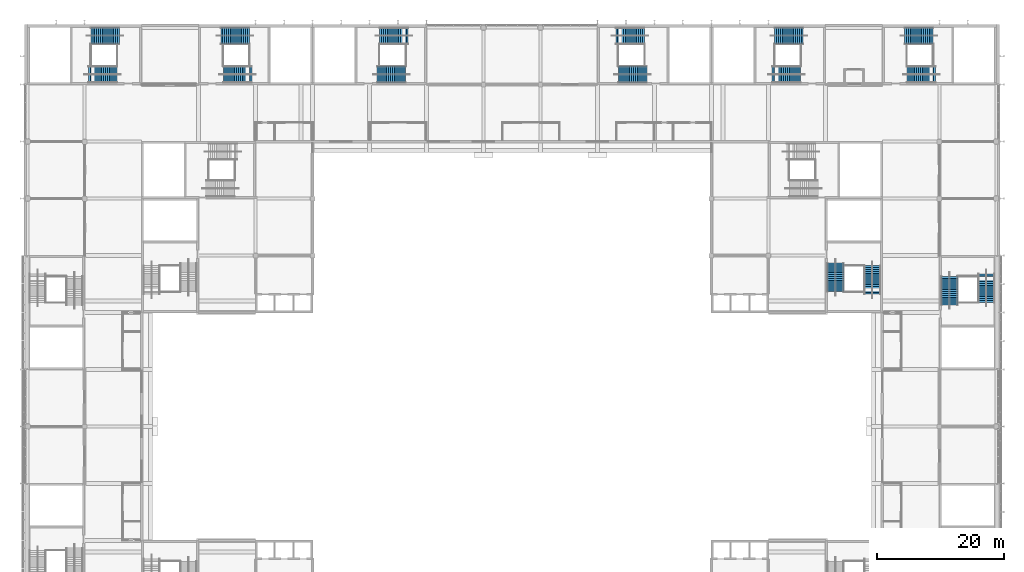
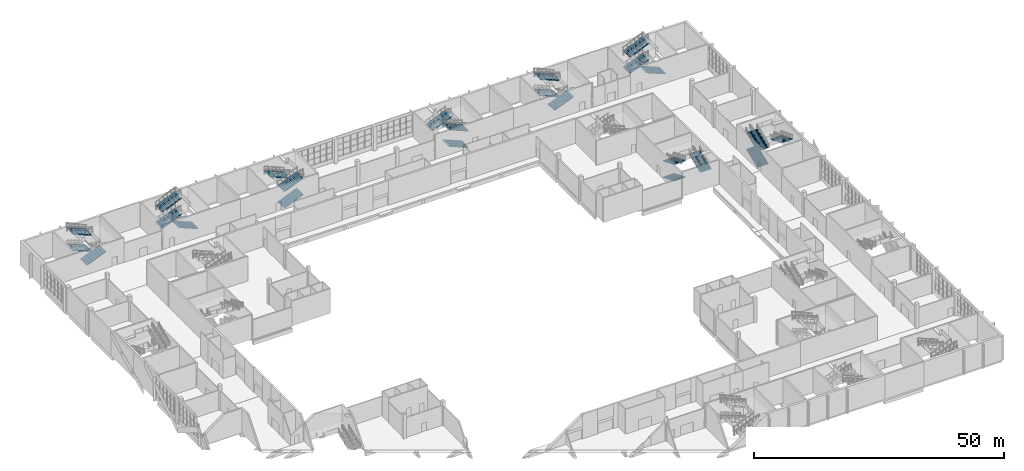
# One storey, part 52 of 89: 24 stair flights, 8 elements without a shape of their own.
"""IFC4 building model written with IfcOpenShell, lengths in metres."""

import ifcopenshell
import ifcopenshell.guid

model = None  # the IFC model being written
_history = None  # IfcOwnerHistory: only IFC2X3 demands one
_inside = {}  # id of a spatial element -> (the spatial element, [elements in it])
_under = {}  # id of a project, library or spatial element -> (it, [spatial elements below it])
_declared = {}  # id of a project -> (the project, [libraries it declares])
_typed = {}  # id of a type object -> (the type object, [elements of that type])
_made_of = {}  # id of a material, layer set ... -> (it, [elements and type objects made of it])


def new_model(schema):
    """Start an empty IFC model of exactly this schema.

    Asked for "IFC4X3", IfcOpenShell would pick the latest addendum, in which some entities
    have other attributes; the version numbers below select the first issue.
    IFC2X3 requires an IfcOwnerHistory on every rooted entity: one is made here for all.
    """
    global model, _history
    if schema == "IFC4X3":
        model = ifcopenshell.file(schema_version=(4, 3, 0, 0))
    else:
        model = ifcopenshell.file(schema=schema)
    _inside.clear()
    _under.clear()
    _declared.clear()
    _typed.clear()
    _made_of.clear()
    _history = None
    if model.schema == "IFC2X3":
        org = make("IfcOrganization", Name="unknown")
        user = make(
            "IfcPersonAndOrganization",
            ThePerson=make("IfcPerson", FamilyName="unknown"),
            TheOrganization=org,
        )
        app = make(
            "IfcApplication",
            ApplicationDeveloper=org,
            Version="unknown",
            ApplicationFullName="unknown",
            ApplicationIdentifier="unknown",
        )
        _history = make(
            "IfcOwnerHistory",
            OwningUser=user,
            OwningApplication=app,
            ChangeAction="ADDED",
            CreationDate=0,
        )
    return model


def make(cls, **values):
    """One entity of the class cls with the attributes given. An attribute that is None is left unset."""
    return model.create_entity(
        cls, **{name: value for name, value in values.items() if value is not None}
    )


def rooted(cls, **values):
    """An entity with a GlobalId (a new one), such as an element, a storey or a relation."""
    return make(cls, GlobalId=ifcopenshell.guid.new(), OwnerHistory=_history, **values)


def si_unit(unit_type, name, prefix=None):
    """IfcSIUnit, for example si_unit("LENGTHUNIT", "METRE", prefix="MILLI")."""
    return make("IfcSIUnit", UnitType=unit_type, Prefix=prefix, Name=name)


def assignment(units):
    """IfcUnitAssignment: the units of a project."""
    return None if units is None else make("IfcUnitAssignment", Units=units)


def point(xyz):
    """IfcCartesianPoint."""
    return None if xyz is None else make("IfcCartesianPoint", Coordinates=xyz)


def direction(xyz):
    """IfcDirection."""
    return None if xyz is None else make("IfcDirection", DirectionRatios=xyz)


def frame(location, z_axis=None, x_axis=None):
    """IfcAxis2Placement3D, a coordinate frame: its origin and axes. An axis left out is left unset."""
    return make(
        "IfcAxis2Placement3D",
        Location=point(location),
        Axis=direction(z_axis),
        RefDirection=direction(x_axis),
    )


def origin():
    """The frame at (0, 0, 0) with its axes left unset."""
    return frame((0.0, 0.0, 0.0))


def place(relative_to, where):
    """IfcLocalPlacement: puts the frame where relative to a parent placement (None: the world)."""
    return make(
        "IfcLocalPlacement", PlacementRelTo=relative_to, RelativePlacement=where
    )


def context(
    kind, dimensions, precision=None, world=None, true_north=None, identifier=None
):
    """IfcGeometricRepresentationContext, for example the 3D "Model" context."""
    return make(
        "IfcGeometricRepresentationContext",
        ContextIdentifier=identifier,
        ContextType=kind,
        CoordinateSpaceDimension=dimensions,
        Precision=precision,
        WorldCoordinateSystem=world,
        TrueNorth=true_north,
    )


def subcontext(parent, identifier, kind, view, scale=None):
    """IfcGeometricRepresentationSubContext, for example "Body" below "Model"."""
    return make(
        "IfcGeometricRepresentationSubContext",
        ContextIdentifier=identifier,
        ContextType=kind,
        ParentContext=parent,
        TargetScale=scale,
        TargetView=view,
    )


def project(units=None, contexts=None):
    """IfcProject with its units and contexts."""
    return rooted(
        "IfcProject",
        Name="project",
        RepresentationContexts=contexts,
        UnitsInContext=assignment(units),
    )


def spatial(cls, under=None, at=None, **own):
    """A site, building, storey or space (cls), placed at a placement, below another one or the project."""
    s = rooted(cls, ObjectPlacement=at, **own)
    if under is not None:
        _under.setdefault(under.id(), (under, []))[1].append(s)
    return s


def polyline(points):
    """IfcPolyline through the points."""
    return make("IfcPolyline", Points=[point(p) for p in points])


def outline(outer, holes=None, kind="AREA"):
    """IfcArbitraryClosedProfileDef: a profile drawn as a closed curve; with holes, ...WithVoids."""
    if holes is None:
        return make("IfcArbitraryClosedProfileDef", ProfileType=kind, OuterCurve=outer)
    return make(
        "IfcArbitraryProfileDefWithVoids",
        ProfileType=kind,
        OuterCurve=outer,
        InnerCurves=holes,
    )


def extrude(swept, where, along, depth):
    """IfcExtrudedAreaSolid: the profile swept, set in the frame where, extruded along a direction by depth."""
    return make(
        "IfcExtrudedAreaSolid",
        SweptArea=swept,
        Position=where,
        ExtrudedDirection=direction(along),
        Depth=depth,
    )


def shape(context_of_items, identifier, shape_type, items):
    """IfcShapeRepresentation: the items that make up one representation, for example the "Body"."""
    return make(
        "IfcShapeRepresentation",
        ContextOfItems=context_of_items,
        RepresentationIdentifier=identifier,
        RepresentationType=shape_type,
        Items=items,
    )


def material(Name=None, Category=None):
    """IfcMaterial."""
    return make("IfcMaterial", Name=Name, Category=Category)


def made_of(thing, what):
    """Note that an element or type object is made of a material, layer set ...; save() writes the relation."""
    if what is not None:
        _made_of.setdefault(what.id(), (what, []))[1].append(thing)
    return thing


def type_object(cls, material=None, **own):
    """A type object (cls), such as IfcWallType, which elements share."""
    return made_of(rooted(cls, **own), material)


def element(
    cls,
    number,
    at=None,
    inside=None,
    cuts=None,
    type_object=None,
    material=None,
    context=None,
    identifier="Body",
    shape_type=None,
    held_by="IfcProductDefinitionShape",
    body=None,
    shapes=None,
    **own,
):
    """One element of the class cls, such as IfcWall. Its Tag is "e" and its number.

    at: its placement. inside: the storey or other place that contains it. cuts: it is an
    opening in that element (IfcRelVoidsElement). A single representation is given by context,
    identifier, shape_type and body (its items); several are given by shapes. held_by: the class
    of the entity that holds the representations. save() writes the other relations.
    """
    e = rooted(cls, Tag="e%d" % number, ObjectPlacement=at, **own)
    if body is not None:
        shapes = [shape(context, identifier, shape_type, body)]
    if shapes is not None:
        e.Representation = make(held_by, Representations=shapes)
    if inside is not None:
        _inside.setdefault(inside.id(), (inside, []))[1].append(e)
    if cuts is not None:
        rooted(
            "IfcRelVoidsElement", RelatingBuildingElement=cuts, RelatedOpeningElement=e
        )
    if type_object is not None:
        _typed.setdefault(type_object.id(), (type_object, []))[1].append(e)
    return made_of(e, material)


def aggregate(whole, parts):
    """IfcRelAggregates: a whole, such as a stair, and the parts it consists of."""
    return rooted("IfcRelAggregates", RelatingObject=whole, RelatedObjects=parts)


def save(model, path):
    """Write the relations noted so far, then the file.

    IfcRelAggregates (storeys below a building ...), IfcRelContainedInSpatialStructure (elements
    in a storey), IfcRelDefinesByType, IfcRelAssociatesMaterial and IfcRelDeclares: one each for
    every whole, place, type object, material and project.
    """
    for whole, parts in _under.values():
        aggregate(whole, parts)
    for where, things in _inside.values():
        rooted(
            "IfcRelContainedInSpatialStructure",
            RelatedElements=things,
            RelatingStructure=where,
        )
    for kind, things in _typed.values():
        rooted("IfcRelDefinesByType", RelatedObjects=things, RelatingType=kind)
    for what, things in _made_of.values():
        rooted("IfcRelAssociatesMaterial", RelatedObjects=things, RelatingMaterial=what)
    for by, libraries in _declared.values():
        rooted("IfcRelDeclares", RelatingContext=by, RelatedDefinitions=libraries)
    model.write(path)


model = new_model("IFC4")

# Units and contexts
model_context = context("Model", 3, precision=1e-05, world=origin(), true_north=direction((0.0, 1.0)))
body_context = subcontext(model_context, "Body", "Model", "MODEL_VIEW")
ifc_project = project(units=[si_unit("LENGTHUNIT", "METRE"), si_unit("AREAUNIT", "SQUARE_METRE"), si_unit("VOLUMEUNIT", "CUBIC_METRE"), si_unit("PLANEANGLEUNIT", "RADIAN"), si_unit("MASSUNIT", "GRAM", prefix="KILO")], contexts=[model_context])

# Site, building, storey
site_placement = place(None, origin())
site = spatial("IfcSite", under=ifc_project, at=site_placement, CompositionType="ELEMENT")
building_placement = place(site_placement, origin())
building = spatial("IfcBuilding", under=site, at=building_placement, Name="Silverbay Arena", CompositionType="ELEMENT")
storey_placement = place(building_placement, frame((0.0, 0.0, 22.0)))
storey = spatial("IfcBuildingStorey", under=building, at=storey_placement, Name="L03", CompositionType="ELEMENT", Elevation=22.0)

# Stair, stair flights
ifc_material_1 = material(Name="Concrete Grade C45", Category="concrete")
stair_type = type_object("IfcStairType", Name="Stair 2600 wide 48 risers 125.0 x 300", PredefinedType="HALF_TURN_STAIR", material=ifc_material_1)
stair_1_placement = place(storey_placement, origin())
stair_1 = element("IfcStair", 1, at=stair_1_placement, inside=storey, type_object=stair_type, Name="Stair ST-N1 L03 to L04", PredefinedType="HALF_TURN_STAIR")
ifc_material_2 = material(Name="Concrete Grade C45", Category="concrete")
stair_flight_type = type_object("IfcStairFlightType", Name="Stair flight 2600 wide 16 risers 125.0 x 300", PredefinedType="STRAIGHT", material=ifc_material_2)
stair_flight_1_placement = place(storey_placement, frame((84.510009765625, 142.699951171875, 0.0), z_axis=(0.0, 0.0, 1.0), x_axis=(1.0, 0.0, 0.0)))
stair_flight_1 = element("IfcStairFlight", 2, at=stair_flight_1_placement, type_object=stair_flight_type, Name="Stair ST-N1 L03 to L04 flight 1", NumberOfRisers=16, NumberOfTreads=15, PredefinedType="STRAIGHT", RiserHeight=0.125, TreadLength=0.3, context=body_context, shape_type="SweptSolid", body=[
    extrude(outline(polyline([(0.0, 0.0), (0.0, 0.125), (0.300048828125, 0.125), (0.300048828125, 0.25), (0.60009765625, 0.25), (0.60009765625, 0.375), (0.89990234375, 0.375), (0.89990234375, 0.5), (1.199951171875, 0.5), (1.199951171875, 0.625), (1.5, 0.625), (1.5, 0.75), (1.800048828125, 0.75), (1.800048828125, 0.875), (2.10009765625, 0.875), (2.10009765625, 1.0), (2.39990234375, 1.0), (2.39990234375, 1.125), (2.699951171875, 1.125), (2.699951171875, 1.25), (3.0, 1.25), (3.0, 1.375), (3.300048828125, 1.375), (3.300048828125, 1.5), (3.60009765625, 1.5), (3.60009765625, 1.625), (3.89990234375, 1.625), (3.89990234375, 1.75), (4.199951171875, 1.75), (4.199951171875, 1.875), (4.5, 1.875), (4.5, 1.712646484375), (0.3896484375, 0.0), (0.0, 0.0)])), frame((0.0, 1.300048828125, 0.0), z_axis=(0.0, -1.0, 0.0), x_axis=(1.0, 0.0, 0.0)), (0.0, 0.0, 1.0), 2.60009765625),
])
stair_flight_2_placement = place(storey_placement, frame((89.39990234375, 136.60009765625, 2.0), z_axis=(0.0, 0.0, 1.0), x_axis=(-1.0, 0.0, 0.0)))
stair_flight_2 = element("IfcStairFlight", 3, at=stair_flight_2_placement, type_object=stair_flight_type, Name="Stair ST-N1 L03 to L04 flight 2", NumberOfRisers=16, NumberOfTreads=15, PredefinedType="STRAIGHT", RiserHeight=0.125, TreadLength=0.3, context=body_context, shape_type="SweptSolid", body=[
    extrude(outline(polyline([(0.0, 0.0), (0.0, 0.125), (0.300048828125, 0.125), (0.300048828125, 0.25), (0.60009765625, 0.25), (0.60009765625, 0.375), (0.89990234375, 0.375), (0.89990234375, 0.5), (1.199951171875, 0.5), (1.199951171875, 0.625), (1.5, 0.625), (1.5, 0.75), (1.800048828125, 0.75), (1.800048828125, 0.875), (2.10009765625, 0.875), (2.10009765625, 1.0), (2.39990234375, 1.0), (2.39990234375, 1.125), (2.699951171875, 1.125), (2.699951171875, 1.25), (3.0, 1.25), (3.0, 1.375), (3.300048828125, 1.375), (3.300048828125, 1.5), (3.60009765625, 1.5), (3.60009765625, 1.625), (3.89990234375, 1.625), (3.89990234375, 1.75), (4.199951171875, 1.75), (4.199951171875, 1.875), (4.5, 1.875), (4.5, 1.712646484375), (0.3896484375, 0.0), (0.0, 0.0)])), frame((0.0, 1.300048828125, 0.0), z_axis=(0.0, -1.0, 0.0), x_axis=(1.0, 0.0, 0.0)), (0.0, 0.0, 1.0), 2.60009765625),
])
stair_flight_3_placement = place(storey_placement, frame((84.510009765625, 142.699951171875, 4.0), z_axis=(0.0, 0.0, 1.0), x_axis=(1.0, 0.0, 0.0)))
stair_flight_3 = element("IfcStairFlight", 4, at=stair_flight_3_placement, type_object=stair_flight_type, Name="Stair ST-N1 L03 to L04 flight 3", NumberOfRisers=16, NumberOfTreads=15, PredefinedType="STRAIGHT", RiserHeight=0.125, TreadLength=0.3, context=body_context, shape_type="SweptSolid", body=[
    extrude(outline(polyline([(0.0, 0.0), (0.0, 0.125), (0.300048828125, 0.125), (0.300048828125, 0.25), (0.60009765625, 0.25), (0.60009765625, 0.375), (0.89990234375, 0.375), (0.89990234375, 0.5), (1.199951171875, 0.5), (1.199951171875, 0.625), (1.5, 0.625), (1.5, 0.75), (1.800048828125, 0.75), (1.800048828125, 0.875), (2.10009765625, 0.875), (2.10009765625, 1.0), (2.39990234375, 1.0), (2.39990234375, 1.125), (2.699951171875, 1.125), (2.699951171875, 1.25), (3.0, 1.25), (3.0, 1.375), (3.300048828125, 1.375), (3.300048828125, 1.5), (3.60009765625, 1.5), (3.60009765625, 1.625), (3.89990234375, 1.625), (3.89990234375, 1.75), (4.199951171875, 1.75), (4.199951171875, 1.875), (4.5, 1.875), (4.5, 1.712646484375), (0.3896484375, 0.0), (0.0, 0.0)])), frame((0.0, 1.300048828125, 0.0), z_axis=(0.0, -1.0, 0.0), x_axis=(1.0, 0.0, 0.0)), (0.0, 0.0, 1.0), 2.60009765625),
])
aggregate(stair_1, [stair_flight_1, stair_flight_2, stair_flight_3])

stair_2_placement = place(storey_placement, origin())
stair_2 = element("IfcStair", 5, at=stair_2_placement, inside=storey, type_object=stair_type, Name="Stair ST-N2 L03 to L04", PredefinedType="HALF_TURN_STAIR")
stair_flight_4_placement = place(storey_placement, frame((109.2099609375, 136.60009765625, 0.0), z_axis=(0.0, 0.0, 1.0), x_axis=(1.0, 0.0, 0.0)))
stair_flight_4 = element("IfcStairFlight", 6, at=stair_flight_4_placement, type_object=stair_flight_type, Name="Stair ST-N2 L03 to L04 flight 1", NumberOfRisers=16, NumberOfTreads=15, PredefinedType="STRAIGHT", RiserHeight=0.125, TreadLength=0.3, context=body_context, shape_type="SweptSolid", body=[
    extrude(outline(polyline([(0.0, 0.0), (0.0, 0.125), (0.300048828125, 0.125), (0.300048828125, 0.25), (0.60009765625, 0.25), (0.60009765625, 0.375), (0.89990234375, 0.375), (0.89990234375, 0.5), (1.199951171875, 0.5), (1.199951171875, 0.625), (1.5, 0.625), (1.5, 0.75), (1.800048828125, 0.75), (1.800048828125, 0.875), (2.10009765625, 0.875), (2.10009765625, 1.0), (2.39990234375, 1.0), (2.39990234375, 1.125), (2.699951171875, 1.125), (2.699951171875, 1.25), (3.0, 1.25), (3.0, 1.375), (3.300048828125, 1.375), (3.300048828125, 1.5), (3.60009765625, 1.5), (3.60009765625, 1.625), (3.89990234375, 1.625), (3.89990234375, 1.75), (4.199951171875, 1.75), (4.199951171875, 1.875), (4.5, 1.875), (4.5, 1.712646484375), (0.3896484375, 0.0), (0.0, 0.0)])), frame((0.0, 1.300048828125, 0.0), z_axis=(0.0, -1.0, 0.0), x_axis=(1.0, 0.0, 0.0)), (0.0, 0.0, 1.0), 2.60009765625),
])
stair_flight_5_placement = place(storey_placement, frame((114.10009765625, 142.699951171875, 2.0), z_axis=(0.0, 0.0, 1.0), x_axis=(-1.0, 0.0, 0.0)))
stair_flight_5 = element("IfcStairFlight", 7, at=stair_flight_5_placement, type_object=stair_flight_type, Name="Stair ST-N2 L03 to L04 flight 2", NumberOfRisers=16, NumberOfTreads=15, PredefinedType="STRAIGHT", RiserHeight=0.125, TreadLength=0.3, context=body_context, shape_type="SweptSolid", body=[
    extrude(outline(polyline([(0.0, 0.0), (0.0, 0.125), (0.300048828125, 0.125), (0.300048828125, 0.25), (0.60009765625, 0.25), (0.60009765625, 0.375), (0.89990234375, 0.375), (0.89990234375, 0.5), (1.199951171875, 0.5), (1.199951171875, 0.625), (1.5, 0.625), (1.5, 0.75), (1.800048828125, 0.75), (1.800048828125, 0.875), (2.10009765625, 0.875), (2.10009765625, 1.0), (2.39990234375, 1.0), (2.39990234375, 1.125), (2.699951171875, 1.125), (2.699951171875, 1.25), (3.0, 1.25), (3.0, 1.375), (3.300048828125, 1.375), (3.300048828125, 1.5), (3.60009765625, 1.5), (3.60009765625, 1.625), (3.89990234375, 1.625), (3.89990234375, 1.75), (4.199951171875, 1.75), (4.199951171875, 1.875), (4.5, 1.875), (4.5, 1.712646484375), (0.3896484375, 0.0), (0.0, 0.0)])), frame((0.0, 1.300048828125, 0.0), z_axis=(0.0, -1.0, 0.0), x_axis=(1.0, 0.0, 0.0)), (0.0, 0.0, 1.0), 2.60009765625),
])
stair_flight_6_placement = place(storey_placement, frame((109.2099609375, 136.60009765625, 4.0), z_axis=(0.0, 0.0, 1.0), x_axis=(1.0, 0.0, 0.0)))
stair_flight_6 = element("IfcStairFlight", 8, at=stair_flight_6_placement, type_object=stair_flight_type, Name="Stair ST-N2 L03 to L04 flight 3", NumberOfRisers=16, NumberOfTreads=15, PredefinedType="STRAIGHT", RiserHeight=0.125, TreadLength=0.3, context=body_context, shape_type="SweptSolid", body=[
    extrude(outline(polyline([(0.0, 0.0), (0.0, 0.125), (0.300048828125, 0.125), (0.300048828125, 0.25), (0.60009765625, 0.25), (0.60009765625, 0.375), (0.89990234375, 0.375), (0.89990234375, 0.5), (1.199951171875, 0.5), (1.199951171875, 0.625), (1.5, 0.625), (1.5, 0.75), (1.800048828125, 0.75), (1.800048828125, 0.875), (2.10009765625, 0.875), (2.10009765625, 1.0), (2.39990234375, 1.0), (2.39990234375, 1.125), (2.699951171875, 1.125), (2.699951171875, 1.25), (3.0, 1.25), (3.0, 1.375), (3.300048828125, 1.375), (3.300048828125, 1.5), (3.60009765625, 1.5), (3.60009765625, 1.625), (3.89990234375, 1.625), (3.89990234375, 1.75), (4.199951171875, 1.75), (4.199951171875, 1.875), (4.5, 1.875), (4.5, 1.712646484375), (0.3896484375, 0.0), (0.0, 0.0)])), frame((0.0, 1.300048828125, 0.0), z_axis=(0.0, -1.0, 0.0), x_axis=(1.0, 0.0, 0.0)), (0.0, 0.0, 1.0), 2.60009765625),
])
aggregate(stair_2, [stair_flight_4, stair_flight_5, stair_flight_6])

stair_3_placement = place(storey_placement, origin())
stair_3 = element("IfcStair", 9, at=stair_3_placement, inside=storey, type_object=stair_type, Name="Stair ST-N3 L03 to L04", PredefinedType="HALF_TURN_STAIR")
stair_flight_7_placement = place(storey_placement, frame((151.7900390625, 136.60009765625, 0.0), z_axis=(0.0, 0.0, 1.0), x_axis=(-1.0, 0.0, 0.0)))
stair_flight_7 = element("IfcStairFlight", 10, at=stair_flight_7_placement, type_object=stair_flight_type, Name="Stair ST-N3 L03 to L04 flight 1", NumberOfRisers=16, NumberOfTreads=15, PredefinedType="STRAIGHT", RiserHeight=0.125, TreadLength=0.3, context=body_context, shape_type="SweptSolid", body=[
    extrude(outline(polyline([(0.0, 0.0), (0.0, 0.125), (0.300048828125, 0.125), (0.300048828125, 0.25), (0.60009765625, 0.25), (0.60009765625, 0.375), (0.89990234375, 0.375), (0.89990234375, 0.5), (1.199951171875, 0.5), (1.199951171875, 0.625), (1.5, 0.625), (1.5, 0.75), (1.800048828125, 0.75), (1.800048828125, 0.875), (2.10009765625, 0.875), (2.10009765625, 1.0), (2.39990234375, 1.0), (2.39990234375, 1.125), (2.699951171875, 1.125), (2.699951171875, 1.25), (3.0, 1.25), (3.0, 1.375), (3.300048828125, 1.375), (3.300048828125, 1.5), (3.60009765625, 1.5), (3.60009765625, 1.625), (3.89990234375, 1.625), (3.89990234375, 1.75), (4.199951171875, 1.75), (4.199951171875, 1.875), (4.5, 1.875), (4.5, 1.712646484375), (0.3896484375, 0.0), (0.0, 0.0)])), frame((0.0, 1.300048828125, 0.0), z_axis=(0.0, -1.0, 0.0), x_axis=(1.0, 0.0, 0.0)), (0.0, 0.0, 1.0), 2.60009765625),
])
stair_flight_8_placement = place(storey_placement, frame((146.89990234375, 142.699951171875, 2.0), z_axis=(0.0, 0.0, 1.0), x_axis=(1.0, 0.0, 0.0)))
stair_flight_8 = element("IfcStairFlight", 11, at=stair_flight_8_placement, type_object=stair_flight_type, Name="Stair ST-N3 L03 to L04 flight 2", NumberOfRisers=16, NumberOfTreads=15, PredefinedType="STRAIGHT", RiserHeight=0.125, TreadLength=0.3, context=body_context, shape_type="SweptSolid", body=[
    extrude(outline(polyline([(0.0, 0.0), (0.0, 0.125), (0.300048828125, 0.125), (0.300048828125, 0.25), (0.60009765625, 0.25), (0.60009765625, 0.375), (0.89990234375, 0.375), (0.89990234375, 0.5), (1.199951171875, 0.5), (1.199951171875, 0.625), (1.5, 0.625), (1.5, 0.75), (1.800048828125, 0.75), (1.800048828125, 0.875), (2.10009765625, 0.875), (2.10009765625, 1.0), (2.39990234375, 1.0), (2.39990234375, 1.125), (2.699951171875, 1.125), (2.699951171875, 1.25), (3.0, 1.25), (3.0, 1.375), (3.300048828125, 1.375), (3.300048828125, 1.5), (3.60009765625, 1.5), (3.60009765625, 1.625), (3.89990234375, 1.625), (3.89990234375, 1.75), (4.199951171875, 1.75), (4.199951171875, 1.875), (4.5, 1.875), (4.5, 1.712646484375), (0.3896484375, 0.0), (0.0, 0.0)])), frame((0.0, 1.300048828125, 0.0), z_axis=(0.0, -1.0, 0.0), x_axis=(1.0, 0.0, 0.0)), (0.0, 0.0, 1.0), 2.60009765625),
])
stair_flight_9_placement = place(storey_placement, frame((151.7900390625, 136.60009765625, 4.0), z_axis=(0.0, 0.0, 1.0), x_axis=(-1.0, 0.0, 0.0)))
stair_flight_9 = element("IfcStairFlight", 12, at=stair_flight_9_placement, type_object=stair_flight_type, Name="Stair ST-N3 L03 to L04 flight 3", NumberOfRisers=16, NumberOfTreads=15, PredefinedType="STRAIGHT", RiserHeight=0.125, TreadLength=0.3, context=body_context, shape_type="SweptSolid", body=[
    extrude(outline(polyline([(0.0, 0.0), (0.0, 0.125), (0.300048828125, 0.125), (0.300048828125, 0.25), (0.60009765625, 0.25), (0.60009765625, 0.375), (0.89990234375, 0.375), (0.89990234375, 0.5), (1.199951171875, 0.5), (1.199951171875, 0.625), (1.5, 0.625), (1.5, 0.75), (1.800048828125, 0.75), (1.800048828125, 0.875), (2.10009765625, 0.875), (2.10009765625, 1.0), (2.39990234375, 1.0), (2.39990234375, 1.125), (2.699951171875, 1.125), (2.699951171875, 1.25), (3.0, 1.25), (3.0, 1.375), (3.300048828125, 1.375), (3.300048828125, 1.5), (3.60009765625, 1.5), (3.60009765625, 1.625), (3.89990234375, 1.625), (3.89990234375, 1.75), (4.199951171875, 1.75), (4.199951171875, 1.875), (4.5, 1.875), (4.5, 1.712646484375), (0.3896484375, 0.0), (0.0, 0.0)])), frame((0.0, 1.300048828125, 0.0), z_axis=(0.0, -1.0, 0.0), x_axis=(1.0, 0.0, 0.0)), (0.0, 0.0, 1.0), 2.60009765625),
])
aggregate(stair_3, [stair_flight_7, stair_flight_8, stair_flight_9])

stair_4_placement = place(storey_placement, origin())
stair_4 = element("IfcStair", 13, at=stair_4_placement, inside=storey, type_object=stair_type, Name="Stair ST-N4 L03 to L04", PredefinedType="HALF_TURN_STAIR")
stair_flight_10_placement = place(storey_placement, frame((176.489990234375, 142.699951171875, 0.0), z_axis=(0.0, 0.0, 1.0), x_axis=(-1.0, 0.0, 0.0)))
stair_flight_10 = element("IfcStairFlight", 14, at=stair_flight_10_placement, type_object=stair_flight_type, Name="Stair ST-N4 L03 to L04 flight 1", NumberOfRisers=16, NumberOfTreads=15, PredefinedType="STRAIGHT", RiserHeight=0.125, TreadLength=0.3, context=body_context, shape_type="SweptSolid", body=[
    extrude(outline(polyline([(0.0, 0.0), (0.0, 0.125), (0.300048828125, 0.125), (0.300048828125, 0.25), (0.60009765625, 0.25), (0.60009765625, 0.375), (0.89990234375, 0.375), (0.89990234375, 0.5), (1.199951171875, 0.5), (1.199951171875, 0.625), (1.5, 0.625), (1.5, 0.75), (1.800048828125, 0.75), (1.800048828125, 0.875), (2.10009765625, 0.875), (2.10009765625, 1.0), (2.39990234375, 1.0), (2.39990234375, 1.125), (2.699951171875, 1.125), (2.699951171875, 1.25), (3.0, 1.25), (3.0, 1.375), (3.300048828125, 1.375), (3.300048828125, 1.5), (3.60009765625, 1.5), (3.60009765625, 1.625), (3.89990234375, 1.625), (3.89990234375, 1.75), (4.199951171875, 1.75), (4.199951171875, 1.875), (4.5, 1.875), (4.5, 1.712646484375), (0.3896484375, 0.0), (0.0, 0.0)])), frame((0.0, 1.300048828125, 0.0), z_axis=(0.0, -1.0, 0.0), x_axis=(1.0, 0.0, 0.0)), (0.0, 0.0, 1.0), 2.60009765625),
])
stair_flight_11_placement = place(storey_placement, frame((171.60009765625, 136.60009765625, 2.0), z_axis=(0.0, 0.0, 1.0), x_axis=(1.0, 0.0, 0.0)))
stair_flight_11 = element("IfcStairFlight", 15, at=stair_flight_11_placement, type_object=stair_flight_type, Name="Stair ST-N4 L03 to L04 flight 2", NumberOfRisers=16, NumberOfTreads=15, PredefinedType="STRAIGHT", RiserHeight=0.125, TreadLength=0.3, context=body_context, shape_type="SweptSolid", body=[
    extrude(outline(polyline([(0.0, 0.0), (0.0, 0.125), (0.300048828125, 0.125), (0.300048828125, 0.25), (0.60009765625, 0.25), (0.60009765625, 0.375), (0.89990234375, 0.375), (0.89990234375, 0.5), (1.199951171875, 0.5), (1.199951171875, 0.625), (1.5, 0.625), (1.5, 0.75), (1.800048828125, 0.75), (1.800048828125, 0.875), (2.10009765625, 0.875), (2.10009765625, 1.0), (2.39990234375, 1.0), (2.39990234375, 1.125), (2.699951171875, 1.125), (2.699951171875, 1.25), (3.0, 1.25), (3.0, 1.375), (3.300048828125, 1.375), (3.300048828125, 1.5), (3.60009765625, 1.5), (3.60009765625, 1.625), (3.89990234375, 1.625), (3.89990234375, 1.75), (4.199951171875, 1.75), (4.199951171875, 1.875), (4.5, 1.875), (4.5, 1.712646484375), (0.3896484375, 0.0), (0.0, 0.0)])), frame((0.0, 1.300048828125, 0.0), z_axis=(0.0, -1.0, 0.0), x_axis=(1.0, 0.0, 0.0)), (0.0, 0.0, 1.0), 2.60009765625),
])
stair_flight_12_placement = place(storey_placement, frame((176.489990234375, 142.699951171875, 4.0), z_axis=(0.0, 0.0, 1.0), x_axis=(-1.0, 0.0, 0.0)))
stair_flight_12 = element("IfcStairFlight", 16, at=stair_flight_12_placement, type_object=stair_flight_type, Name="Stair ST-N4 L03 to L04 flight 3", NumberOfRisers=16, NumberOfTreads=15, PredefinedType="STRAIGHT", RiserHeight=0.125, TreadLength=0.3, context=body_context, shape_type="SweptSolid", body=[
    extrude(outline(polyline([(0.0, 0.0), (0.0, 0.125), (0.300048828125, 0.125), (0.300048828125, 0.25), (0.60009765625, 0.25), (0.60009765625, 0.375), (0.89990234375, 0.375), (0.89990234375, 0.5), (1.199951171875, 0.5), (1.199951171875, 0.625), (1.5, 0.625), (1.5, 0.75), (1.800048828125, 0.75), (1.800048828125, 0.875), (2.10009765625, 0.875), (2.10009765625, 1.0), (2.39990234375, 1.0), (2.39990234375, 1.125), (2.699951171875, 1.125), (2.699951171875, 1.25), (3.0, 1.25), (3.0, 1.375), (3.300048828125, 1.375), (3.300048828125, 1.5), (3.60009765625, 1.5), (3.60009765625, 1.625), (3.89990234375, 1.625), (3.89990234375, 1.75), (4.199951171875, 1.75), (4.199951171875, 1.875), (4.5, 1.875), (4.5, 1.712646484375), (0.3896484375, 0.0), (0.0, 0.0)])), frame((0.0, 1.300048828125, 0.0), z_axis=(0.0, -1.0, 0.0), x_axis=(1.0, 0.0, 0.0)), (0.0, 0.0, 1.0), 2.60009765625),
])
aggregate(stair_4, [stair_flight_10, stair_flight_11, stair_flight_12])

stair_5_placement = place(storey_placement, origin())
stair_5 = element("IfcStair", 17, at=stair_5_placement, inside=storey, type_object=stair_type, Name="Stair ST-N5 L03 to L04", PredefinedType="HALF_TURN_STAIR")
stair_flight_13_placement = place(storey_placement, frame((68.489990234375, 142.699951171875, 0.0), z_axis=(0.0, 0.0, 1.0), x_axis=(-1.0, 0.0, 0.0)))
stair_flight_13 = element("IfcStairFlight", 18, at=stair_flight_13_placement, type_object=stair_flight_type, Name="Stair ST-N5 L03 to L04 flight 1", NumberOfRisers=16, NumberOfTreads=15, PredefinedType="STRAIGHT", RiserHeight=0.125, TreadLength=0.3, context=body_context, shape_type="SweptSolid", body=[
    extrude(outline(polyline([(0.0, 0.0), (0.0, 0.125), (0.300048828125, 0.125), (0.300048828125, 0.25), (0.60009765625, 0.25), (0.60009765625, 0.375), (0.89990234375, 0.375), (0.89990234375, 0.5), (1.199951171875, 0.5), (1.199951171875, 0.625), (1.5, 0.625), (1.5, 0.75), (1.800048828125, 0.75), (1.800048828125, 0.875), (2.10009765625, 0.875), (2.10009765625, 1.0), (2.39990234375, 1.0), (2.39990234375, 1.125), (2.699951171875, 1.125), (2.699951171875, 1.25), (3.0, 1.25), (3.0, 1.375), (3.300048828125, 1.375), (3.300048828125, 1.5), (3.60009765625, 1.5), (3.60009765625, 1.625), (3.89990234375, 1.625), (3.89990234375, 1.75), (4.199951171875, 1.75), (4.199951171875, 1.875), (4.5, 1.875), (4.5, 1.712646484375), (0.3896484375, 0.0), (0.0, 0.0)])), frame((0.0, 1.300048828125, 0.0), z_axis=(0.0, -1.0, 0.0), x_axis=(1.0, 0.0, 0.0)), (0.0, 0.0, 1.0), 2.60009765625),
])
stair_flight_14_placement = place(storey_placement, frame((63.60009765625, 136.60009765625, 2.0), z_axis=(0.0, 0.0, 1.0), x_axis=(1.0, 0.0, 0.0)))
stair_flight_14 = element("IfcStairFlight", 19, at=stair_flight_14_placement, type_object=stair_flight_type, Name="Stair ST-N5 L03 to L04 flight 2", NumberOfRisers=16, NumberOfTreads=15, PredefinedType="STRAIGHT", RiserHeight=0.125, TreadLength=0.3, context=body_context, shape_type="SweptSolid", body=[
    extrude(outline(polyline([(0.0, 0.0), (0.0, 0.125), (0.300048828125, 0.125), (0.300048828125, 0.25), (0.60009765625, 0.25), (0.60009765625, 0.375), (0.89990234375, 0.375), (0.89990234375, 0.5), (1.199951171875, 0.5), (1.199951171875, 0.625), (1.5, 0.625), (1.5, 0.75), (1.800048828125, 0.75), (1.800048828125, 0.875), (2.10009765625, 0.875), (2.10009765625, 1.0), (2.39990234375, 1.0), (2.39990234375, 1.125), (2.699951171875, 1.125), (2.699951171875, 1.25), (3.0, 1.25), (3.0, 1.375), (3.300048828125, 1.375), (3.300048828125, 1.5), (3.60009765625, 1.5), (3.60009765625, 1.625), (3.89990234375, 1.625), (3.89990234375, 1.75), (4.199951171875, 1.75), (4.199951171875, 1.875), (4.5, 1.875), (4.5, 1.712646484375), (0.3896484375, 0.0), (0.0, 0.0)])), frame((0.0, 1.300048828125, 0.0), z_axis=(0.0, -1.0, 0.0), x_axis=(1.0, 0.0, 0.0)), (0.0, 0.0, 1.0), 2.60009765625),
])
stair_flight_15_placement = place(storey_placement, frame((68.489990234375, 142.699951171875, 4.0), z_axis=(0.0, 0.0, 1.0), x_axis=(-1.0, 0.0, 0.0)))
stair_flight_15 = element("IfcStairFlight", 20, at=stair_flight_15_placement, type_object=stair_flight_type, Name="Stair ST-N5 L03 to L04 flight 3", NumberOfRisers=16, NumberOfTreads=15, PredefinedType="STRAIGHT", RiserHeight=0.125, TreadLength=0.3, context=body_context, shape_type="SweptSolid", body=[
    extrude(outline(polyline([(0.0, 0.0), (0.0, 0.125), (0.300048828125, 0.125), (0.300048828125, 0.25), (0.60009765625, 0.25), (0.60009765625, 0.375), (0.89990234375, 0.375), (0.89990234375, 0.5), (1.199951171875, 0.5), (1.199951171875, 0.625), (1.5, 0.625), (1.5, 0.75), (1.800048828125, 0.75), (1.800048828125, 0.875), (2.10009765625, 0.875), (2.10009765625, 1.0), (2.39990234375, 1.0), (2.39990234375, 1.125), (2.699951171875, 1.125), (2.699951171875, 1.25), (3.0, 1.25), (3.0, 1.375), (3.300048828125, 1.375), (3.300048828125, 1.5), (3.60009765625, 1.5), (3.60009765625, 1.625), (3.89990234375, 1.625), (3.89990234375, 1.75), (4.199951171875, 1.75), (4.199951171875, 1.875), (4.5, 1.875), (4.5, 1.712646484375), (0.3896484375, 0.0), (0.0, 0.0)])), frame((0.0, 1.300048828125, 0.0), z_axis=(0.0, -1.0, 0.0), x_axis=(1.0, 0.0, 0.0)), (0.0, 0.0, 1.0), 2.60009765625),
])
aggregate(stair_5, [stair_flight_13, stair_flight_14, stair_flight_15])

stair_6_placement = place(storey_placement, origin())
stair_6 = element("IfcStair", 21, at=stair_6_placement, inside=storey, type_object=stair_type, Name="Stair ST-N6 L03 to L04", PredefinedType="HALF_TURN_STAIR")
stair_flight_16_placement = place(storey_placement, frame((192.510009765625, 142.699951171875, 0.0), z_axis=(0.0, 0.0, 1.0), x_axis=(1.0, 0.0, 0.0)))
stair_flight_16 = element("IfcStairFlight", 22, at=stair_flight_16_placement, type_object=stair_flight_type, Name="Stair ST-N6 L03 to L04 flight 1", NumberOfRisers=16, NumberOfTreads=15, PredefinedType="STRAIGHT", RiserHeight=0.125, TreadLength=0.3, context=body_context, shape_type="SweptSolid", body=[
    extrude(outline(polyline([(0.0, 0.0), (0.0, 0.125), (0.300048828125, 0.125), (0.300048828125, 0.25), (0.60009765625, 0.25), (0.60009765625, 0.375), (0.89990234375, 0.375), (0.89990234375, 0.5), (1.199951171875, 0.5), (1.199951171875, 0.625), (1.5, 0.625), (1.5, 0.75), (1.800048828125, 0.75), (1.800048828125, 0.875), (2.10009765625, 0.875), (2.10009765625, 1.0), (2.39990234375, 1.0), (2.39990234375, 1.125), (2.699951171875, 1.125), (2.699951171875, 1.25), (3.0, 1.25), (3.0, 1.375), (3.300048828125, 1.375), (3.300048828125, 1.5), (3.60009765625, 1.5), (3.60009765625, 1.625), (3.89990234375, 1.625), (3.89990234375, 1.75), (4.199951171875, 1.75), (4.199951171875, 1.875), (4.5, 1.875), (4.5, 1.712646484375), (0.3896484375, 0.0), (0.0, 0.0)])), frame((0.0, 1.300048828125, 0.0), z_axis=(0.0, -1.0, 0.0), x_axis=(1.0, 0.0, 0.0)), (0.0, 0.0, 1.0), 2.60009765625),
])
stair_flight_17_placement = place(storey_placement, frame((197.39990234375, 136.60009765625, 2.0), z_axis=(0.0, 0.0, 1.0), x_axis=(-1.0, 0.0, 0.0)))
stair_flight_17 = element("IfcStairFlight", 23, at=stair_flight_17_placement, type_object=stair_flight_type, Name="Stair ST-N6 L03 to L04 flight 2", NumberOfRisers=16, NumberOfTreads=15, PredefinedType="STRAIGHT", RiserHeight=0.125, TreadLength=0.3, context=body_context, shape_type="SweptSolid", body=[
    extrude(outline(polyline([(0.0, 0.0), (0.0, 0.125), (0.300048828125, 0.125), (0.300048828125, 0.25), (0.60009765625, 0.25), (0.60009765625, 0.375), (0.89990234375, 0.375), (0.89990234375, 0.5), (1.199951171875, 0.5), (1.199951171875, 0.625), (1.5, 0.625), (1.5, 0.75), (1.800048828125, 0.75), (1.800048828125, 0.875), (2.10009765625, 0.875), (2.10009765625, 1.0), (2.39990234375, 1.0), (2.39990234375, 1.125), (2.699951171875, 1.125), (2.699951171875, 1.25), (3.0, 1.25), (3.0, 1.375), (3.300048828125, 1.375), (3.300048828125, 1.5), (3.60009765625, 1.5), (3.60009765625, 1.625), (3.89990234375, 1.625), (3.89990234375, 1.75), (4.199951171875, 1.75), (4.199951171875, 1.875), (4.5, 1.875), (4.5, 1.712646484375), (0.3896484375, 0.0), (0.0, 0.0)])), frame((0.0, 1.300048828125, 0.0), z_axis=(0.0, -1.0, 0.0), x_axis=(1.0, 0.0, 0.0)), (0.0, 0.0, 1.0), 2.60009765625),
])
stair_flight_18_placement = place(storey_placement, frame((192.510009765625, 142.699951171875, 4.0), z_axis=(0.0, 0.0, 1.0), x_axis=(1.0, 0.0, 0.0)))
stair_flight_18 = element("IfcStairFlight", 24, at=stair_flight_18_placement, type_object=stair_flight_type, Name="Stair ST-N6 L03 to L04 flight 3", NumberOfRisers=16, NumberOfTreads=15, PredefinedType="STRAIGHT", RiserHeight=0.125, TreadLength=0.3, context=body_context, shape_type="SweptSolid", body=[
    extrude(outline(polyline([(0.0, 0.0), (0.0, 0.125), (0.300048828125, 0.125), (0.300048828125, 0.25), (0.60009765625, 0.25), (0.60009765625, 0.375), (0.89990234375, 0.375), (0.89990234375, 0.5), (1.199951171875, 0.5), (1.199951171875, 0.625), (1.5, 0.625), (1.5, 0.75), (1.800048828125, 0.75), (1.800048828125, 0.875), (2.10009765625, 0.875), (2.10009765625, 1.0), (2.39990234375, 1.0), (2.39990234375, 1.125), (2.699951171875, 1.125), (2.699951171875, 1.25), (3.0, 1.25), (3.0, 1.375), (3.300048828125, 1.375), (3.300048828125, 1.5), (3.60009765625, 1.5), (3.60009765625, 1.625), (3.89990234375, 1.625), (3.89990234375, 1.75), (4.199951171875, 1.75), (4.199951171875, 1.875), (4.5, 1.875), (4.5, 1.712646484375), (0.3896484375, 0.0), (0.0, 0.0)])), frame((0.0, 1.300048828125, 0.0), z_axis=(0.0, -1.0, 0.0), x_axis=(1.0, 0.0, 0.0)), (0.0, 0.0, 1.0), 2.60009765625),
])
aggregate(stair_6, [stair_flight_16, stair_flight_17, stair_flight_18])

stair_7_placement = place(storey_placement, origin())
stair_7 = element("IfcStair", 25, at=stair_7_placement, inside=storey, type_object=stair_type, Name="Stair ST-E2 L03 to L04", PredefinedType="HALF_TURN_STAIR")
stair_flight_19_placement = place(storey_placement, frame((199.60009765625, 100.2099609375, 0.0), z_axis=(0.0, 0.0, 1.0), x_axis=(0.0, 1.0, 0.0)))
stair_flight_19 = element("IfcStairFlight", 26, at=stair_flight_19_placement, type_object=stair_flight_type, Name="Stair ST-E2 L03 to L04 flight 1", NumberOfRisers=16, NumberOfTreads=15, PredefinedType="STRAIGHT", RiserHeight=0.125, TreadLength=0.3, context=body_context, shape_type="SweptSolid", body=[
    extrude(outline(polyline([(0.0, 0.0), (0.0, 0.125), (0.300048828125, 0.125), (0.300048828125, 0.25), (0.60009765625, 0.25), (0.60009765625, 0.375), (0.89990234375, 0.375), (0.89990234375, 0.5), (1.199951171875, 0.5), (1.199951171875, 0.625), (1.5, 0.625), (1.5, 0.75), (1.800048828125, 0.75), (1.800048828125, 0.875), (2.10009765625, 0.875), (2.10009765625, 1.0), (2.39990234375, 1.0), (2.39990234375, 1.125), (2.699951171875, 1.125), (2.699951171875, 1.25), (3.0, 1.25), (3.0, 1.375), (3.300048828125, 1.375), (3.300048828125, 1.5), (3.60009765625, 1.5), (3.60009765625, 1.625), (3.89990234375, 1.625), (3.89990234375, 1.75), (4.199951171875, 1.75), (4.199951171875, 1.875), (4.5, 1.875), (4.5, 1.712646484375), (0.3896484375, 0.0), (0.0, 0.0)])), frame((0.0, 1.300048828125, 0.0), z_axis=(0.0, -1.0, 0.0), x_axis=(1.0, 0.0, 0.0)), (0.0, 0.0, 1.0), 2.60009765625),
])
stair_flight_20_placement = place(storey_placement, frame((205.39990234375, 105.10009765625, 2.0), z_axis=(0.0, 0.0, 1.0), x_axis=(0.0, -1.0, 0.0)))
stair_flight_20 = element("IfcStairFlight", 27, at=stair_flight_20_placement, type_object=stair_flight_type, Name="Stair ST-E2 L03 to L04 flight 2", NumberOfRisers=16, NumberOfTreads=15, PredefinedType="STRAIGHT", RiserHeight=0.125, TreadLength=0.3, context=body_context, shape_type="SweptSolid", body=[
    extrude(outline(polyline([(0.0, 0.0), (0.0, 0.125), (0.300048828125, 0.125), (0.300048828125, 0.25), (0.60009765625, 0.25), (0.60009765625, 0.375), (0.89990234375, 0.375), (0.89990234375, 0.5), (1.199951171875, 0.5), (1.199951171875, 0.625), (1.5, 0.625), (1.5, 0.75), (1.800048828125, 0.75), (1.800048828125, 0.875), (2.10009765625, 0.875), (2.10009765625, 1.0), (2.39990234375, 1.0), (2.39990234375, 1.125), (2.699951171875, 1.125), (2.699951171875, 1.25), (3.0, 1.25), (3.0, 1.375), (3.300048828125, 1.375), (3.300048828125, 1.5), (3.60009765625, 1.5), (3.60009765625, 1.625), (3.89990234375, 1.625), (3.89990234375, 1.75), (4.199951171875, 1.75), (4.199951171875, 1.875), (4.5, 1.875), (4.5, 1.712646484375), (0.3896484375, 0.0), (0.0, 0.0)])), frame((0.0, 1.300048828125, 0.0), z_axis=(0.0, -1.0, 0.0), x_axis=(1.0, 0.0, 0.0)), (0.0, 0.0, 1.0), 2.60009765625),
])
stair_flight_21_placement = place(storey_placement, frame((199.60009765625, 100.2099609375, 4.0), z_axis=(0.0, 0.0, 1.0), x_axis=(0.0, 1.0, 0.0)))
stair_flight_21 = element("IfcStairFlight", 28, at=stair_flight_21_placement, type_object=stair_flight_type, Name="Stair ST-E2 L03 to L04 flight 3", NumberOfRisers=16, NumberOfTreads=15, PredefinedType="STRAIGHT", RiserHeight=0.125, TreadLength=0.3, context=body_context, shape_type="SweptSolid", body=[
    extrude(outline(polyline([(0.0, 0.0), (0.0, 0.125), (0.300048828125, 0.125), (0.300048828125, 0.25), (0.60009765625, 0.25), (0.60009765625, 0.375), (0.89990234375, 0.375), (0.89990234375, 0.5), (1.199951171875, 0.5), (1.199951171875, 0.625), (1.5, 0.625), (1.5, 0.75), (1.800048828125, 0.75), (1.800048828125, 0.875), (2.10009765625, 0.875), (2.10009765625, 1.0), (2.39990234375, 1.0), (2.39990234375, 1.125), (2.699951171875, 1.125), (2.699951171875, 1.25), (3.0, 1.25), (3.0, 1.375), (3.300048828125, 1.375), (3.300048828125, 1.5), (3.60009765625, 1.5), (3.60009765625, 1.625), (3.89990234375, 1.625), (3.89990234375, 1.75), (4.199951171875, 1.75), (4.199951171875, 1.875), (4.5, 1.875), (4.5, 1.712646484375), (0.3896484375, 0.0), (0.0, 0.0)])), frame((0.0, 1.300048828125, 0.0), z_axis=(0.0, -1.0, 0.0), x_axis=(1.0, 0.0, 0.0)), (0.0, 0.0, 1.0), 2.60009765625),
])
aggregate(stair_7, [stair_flight_19, stair_flight_20, stair_flight_21])

stair_8_placement = place(storey_placement, origin())
stair_8 = element("IfcStair", 29, at=stair_8_placement, inside=storey, type_object=stair_type, Name="Stair ST-NE2 L03 to L04", PredefinedType="HALF_TURN_STAIR")
stair_flight_22_placement = place(storey_placement, frame((181.60009765625, 106.7900390625, 0.0), z_axis=(0.0, 0.0, 1.0), x_axis=(0.0, -1.0, 0.0)))
stair_flight_22 = element("IfcStairFlight", 30, at=stair_flight_22_placement, type_object=stair_flight_type, Name="Stair ST-NE2 L03 to L04 flight 1", NumberOfRisers=16, NumberOfTreads=15, PredefinedType="STRAIGHT", RiserHeight=0.125, TreadLength=0.3, context=body_context, shape_type="SweptSolid", body=[
    extrude(outline(polyline([(0.0, 0.0), (0.0, 0.125), (0.300048828125, 0.125), (0.300048828125, 0.25), (0.60009765625, 0.25), (0.60009765625, 0.375), (0.89990234375, 0.375), (0.89990234375, 0.5), (1.199951171875, 0.5), (1.199951171875, 0.625), (1.5, 0.625), (1.5, 0.75), (1.800048828125, 0.75), (1.800048828125, 0.875), (2.10009765625, 0.875), (2.10009765625, 1.0), (2.39990234375, 1.0), (2.39990234375, 1.125), (2.699951171875, 1.125), (2.699951171875, 1.25), (3.0, 1.25), (3.0, 1.375), (3.300048828125, 1.375), (3.300048828125, 1.5), (3.60009765625, 1.5), (3.60009765625, 1.625), (3.89990234375, 1.625), (3.89990234375, 1.75), (4.199951171875, 1.75), (4.199951171875, 1.875), (4.5, 1.875), (4.5, 1.712646484375), (0.3896484375, 0.0), (0.0, 0.0)])), frame((0.0, 1.300048828125, 0.0), z_axis=(0.0, -1.0, 0.0), x_axis=(1.0, 0.0, 0.0)), (0.0, 0.0, 1.0), 2.60009765625),
])
stair_flight_23_placement = place(storey_placement, frame((187.39990234375, 101.89990234375, 2.0), z_axis=(0.0, 0.0, 1.0), x_axis=(0.0, 1.0, 0.0)))
stair_flight_23 = element("IfcStairFlight", 31, at=stair_flight_23_placement, type_object=stair_flight_type, Name="Stair ST-NE2 L03 to L04 flight 2", NumberOfRisers=16, NumberOfTreads=15, PredefinedType="STRAIGHT", RiserHeight=0.125, TreadLength=0.3, context=body_context, shape_type="SweptSolid", body=[
    extrude(outline(polyline([(0.0, 0.0), (0.0, 0.125), (0.300048828125, 0.125), (0.300048828125, 0.25), (0.60009765625, 0.25), (0.60009765625, 0.375), (0.89990234375, 0.375), (0.89990234375, 0.5), (1.199951171875, 0.5), (1.199951171875, 0.625), (1.5, 0.625), (1.5, 0.75), (1.800048828125, 0.75), (1.800048828125, 0.875), (2.10009765625, 0.875), (2.10009765625, 1.0), (2.39990234375, 1.0), (2.39990234375, 1.125), (2.699951171875, 1.125), (2.699951171875, 1.25), (3.0, 1.25), (3.0, 1.375), (3.300048828125, 1.375), (3.300048828125, 1.5), (3.60009765625, 1.5), (3.60009765625, 1.625), (3.89990234375, 1.625), (3.89990234375, 1.75), (4.199951171875, 1.75), (4.199951171875, 1.875), (4.5, 1.875), (4.5, 1.712646484375), (0.3896484375, 0.0), (0.0, 0.0)])), frame((0.0, 1.300048828125, 0.0), z_axis=(0.0, -1.0, 0.0), x_axis=(1.0, 0.0, 0.0)), (0.0, 0.0, 1.0), 2.60009765625),
])
stair_flight_24_placement = place(storey_placement, frame((181.60009765625, 106.7900390625, 4.0), z_axis=(0.0, 0.0, 1.0), x_axis=(0.0, -1.0, 0.0)))
stair_flight_24 = element("IfcStairFlight", 32, at=stair_flight_24_placement, type_object=stair_flight_type, Name="Stair ST-NE2 L03 to L04 flight 3", NumberOfRisers=16, NumberOfTreads=15, PredefinedType="STRAIGHT", RiserHeight=0.125, TreadLength=0.3, context=body_context, shape_type="SweptSolid", body=[
    extrude(outline(polyline([(0.0, 0.0), (0.0, 0.125), (0.300048828125, 0.125), (0.300048828125, 0.25), (0.60009765625, 0.25), (0.60009765625, 0.375), (0.89990234375, 0.375), (0.89990234375, 0.5), (1.199951171875, 0.5), (1.199951171875, 0.625), (1.5, 0.625), (1.5, 0.75), (1.800048828125, 0.75), (1.800048828125, 0.875), (2.10009765625, 0.875), (2.10009765625, 1.0), (2.39990234375, 1.0), (2.39990234375, 1.125), (2.699951171875, 1.125), (2.699951171875, 1.25), (3.0, 1.25), (3.0, 1.375), (3.300048828125, 1.375), (3.300048828125, 1.5), (3.60009765625, 1.5), (3.60009765625, 1.625), (3.89990234375, 1.625), (3.89990234375, 1.75), (4.199951171875, 1.75), (4.199951171875, 1.875), (4.5, 1.875), (4.5, 1.712646484375), (0.3896484375, 0.0), (0.0, 0.0)])), frame((0.0, 1.300048828125, 0.0), z_axis=(0.0, -1.0, 0.0), x_axis=(1.0, 0.0, 0.0)), (0.0, 0.0, 1.0), 2.60009765625),
])
aggregate(stair_8, [stair_flight_22, stair_flight_23, stair_flight_24])

save(model, "model.ifc")
